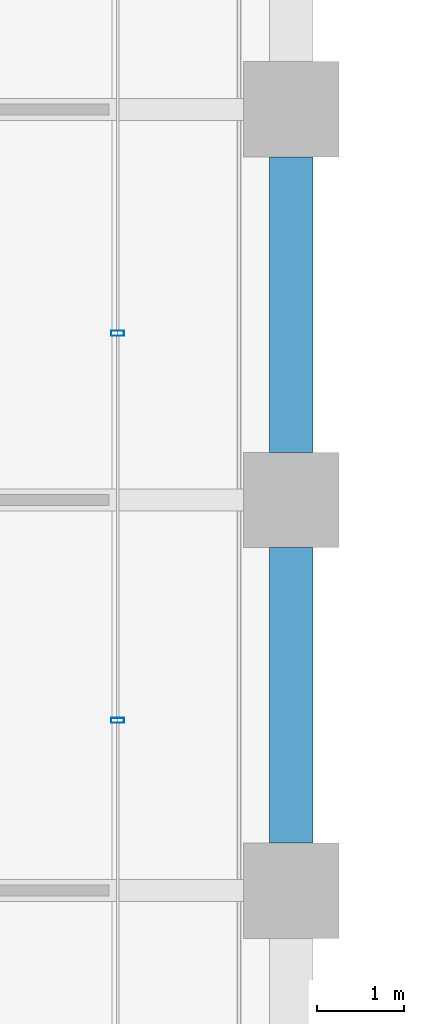
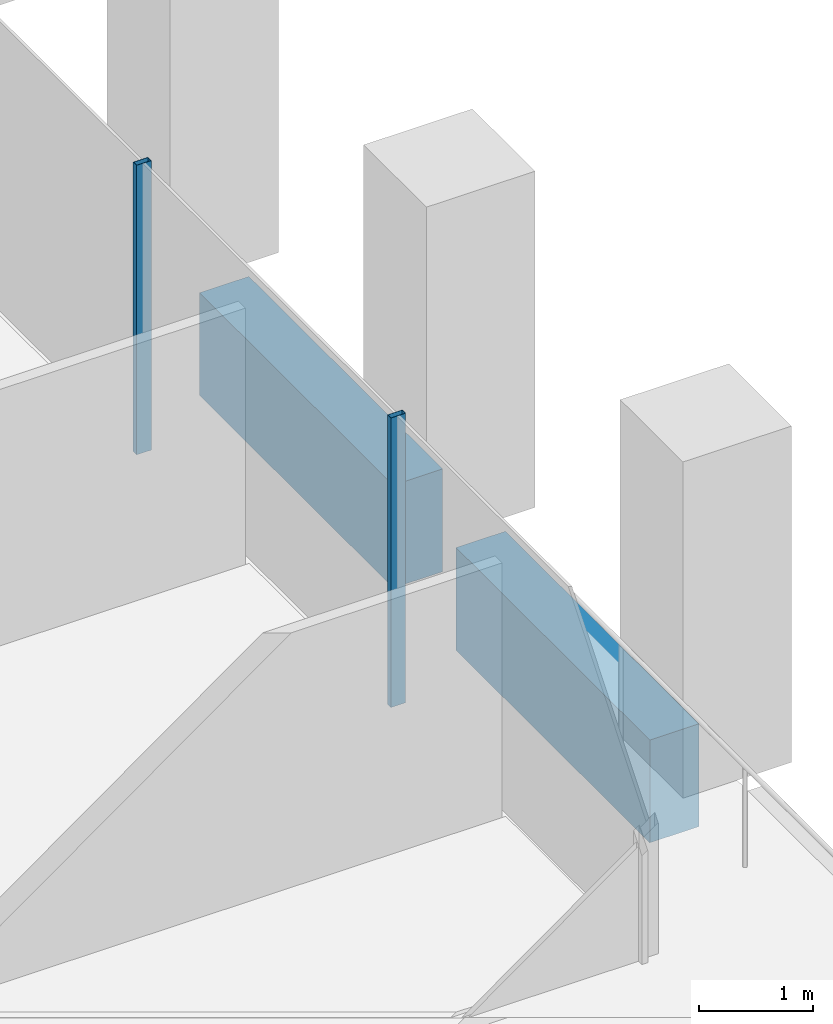
# One storey, part 18 of 56: 2 beams, 2 members, 1 element without a shape of its own.
"""IFC4 building model written with IfcOpenShell, lengths in metres."""

from ifc_helpers import new_model, si_unit, direction, frame, origin, origin_2d, place, context, subcontext, project, spatial, rectangle, hollow_rectangle, extrude, material, material_profile, profile_set, type_object, element, aggregate, save


model = new_model("IFC4")

# Units and contexts
model_context = context("Model", 3, precision=1e-05, world=origin(), true_north=direction((0.0, 1.0)))
body_context = subcontext(model_context, "Body", "Model", "MODEL_VIEW")
ifc_project = project(units=[si_unit("LENGTHUNIT", "METRE"), si_unit("AREAUNIT", "SQUARE_METRE"), si_unit("VOLUMEUNIT", "CUBIC_METRE"), si_unit("PLANEANGLEUNIT", "RADIAN"), si_unit("MASSUNIT", "GRAM", prefix="KILO")], contexts=[model_context])

# Site, building, storey
site_placement = place(None, origin())
site = spatial("IfcSite", under=ifc_project, at=site_placement, CompositionType="ELEMENT")
building_placement = place(site_placement, origin())
building = spatial("IfcBuilding", under=site, at=building_placement, Name="Altepetl Exchange Towers", CompositionType="ELEMENT")
storey_placement = place(building_placement, frame((0.0, 0.0, 72.60009765625)))
storey = spatial("IfcBuildingStorey", under=building, at=storey_placement, Name="L17", CompositionType="ELEMENT", Elevation=72.60009765625)

# Curtain wall, members
ifc_material_1 = material(Name="Aluminium 6063-T6 glazing", Category="aluminium")
curtain_wall_type = type_object("IfcCurtainWallType", Name="Loggia glazing system", PredefinedType="NOTDEFINED", material=ifc_material_1)
curtain_wall_placement = place(storey_placement, origin())
curtain_wall = element("IfcCurtainWall", 1, at=curtain_wall_placement, inside=storey, type_object=curtain_wall_type, Name="CW1 run", PredefinedType="NOTDEFINED")
ifc_material_2 = material(Name="Aluminium 6063-T6", Category="aluminium")
ifc_material_profile_1 = material_profile(ifc_material_2, hollow_rectangle(XDim=0.06005859375, YDim=0.14990234375, WallThickness=0.0029296875, at=origin_2d()), Name="Mullion 60x150 aluminium")
ifc_profile_set_1 = profile_set([ifc_material_profile_1], Name="Aluminium 6063-T6")
member_type = type_object("IfcMemberType", Name="Mullion 60x150 aluminium", PredefinedType="MULLION", material=ifc_profile_set_1)
member_1_placement = place(storey_placement, frame((70.0, 37.9609375, 0.0), z_axis=(0.0, 0.0, 1.0), x_axis=(0.0, 1.0, 0.0)))
member_1 = element("IfcMember", 2, at=member_1_placement, type_object=member_type, Name="MU1 mullion", PredefinedType="MULLION", context=body_context, shape_type="SweptSolid", body=[
    extrude(hollow_rectangle(XDim=0.06005859375, YDim=0.14990234375, WallThickness=0.0029296875, at=origin_2d()), origin(), (0.0, 0.0, 1.0), 3.099853515625),
])
member_2_placement = place(storey_placement, frame((70.0, 42.422119140625, 0.0), z_axis=(0.0, 0.0, 1.0), x_axis=(0.0, 1.0, 0.0)))
member_2 = element("IfcMember", 3, at=member_2_placement, type_object=member_type, Name="MU1 mullion", PredefinedType="MULLION", context=body_context, shape_type="SweptSolid", body=[
    extrude(hollow_rectangle(XDim=0.06005859375, YDim=0.14990234375, WallThickness=0.0029296875, at=origin_2d()), origin(), (0.0, 0.0, 1.0), 3.099853515625),
])
aggregate(curtain_wall, [member_1, member_2])

# Beams
ifc_material_3 = material(Name="Concrete C50/60 precast with cantera amarilla facing", Category="concrete")
ifc_material_profile_2 = material_profile(ifc_material_3, rectangle(XDim=0.5, YDim=1.10009765625, at=origin_2d()), Name="500 x 1100")
ifc_profile_set_2 = profile_set([ifc_material_profile_2], Name="Concrete C50/60 precast with cantera amarilla facing")
beam_type = type_object("IfcBeamType", Name="Spandrel beam 500x1100 cantera amarilla", PredefinedType="SPANDREL", material=ifc_profile_set_2)
for number, where, z_axis, x_axis, name in (
    (4, (72.0, 36.550048828125, -0.7001953125), (0.0, 1.0, 0.0), (-1.0, 0.0, 0.0), "sp:A:L17:013"),
    (5, (72.0, 41.050048828125, -0.7001953125), (0.0, 1.0, 0.0), (-1.0, 0.0, 0.0), "sp:A:L17:014"),
):
    element("IfcBeam", number, at=place(storey_placement, frame(where, z_axis=z_axis, x_axis=x_axis)), inside=storey, type_object=beam_type, Name=name, PredefinedType="SPANDREL", context=body_context, shape_type="SweptSolid", body=[
        extrude(rectangle(XDim=0.5, YDim=1.10009765625, at=origin_2d()), origin(), (0.0, 0.0, 1.0), 3.39990234375),
    ])

save(model, "model.ifc")
